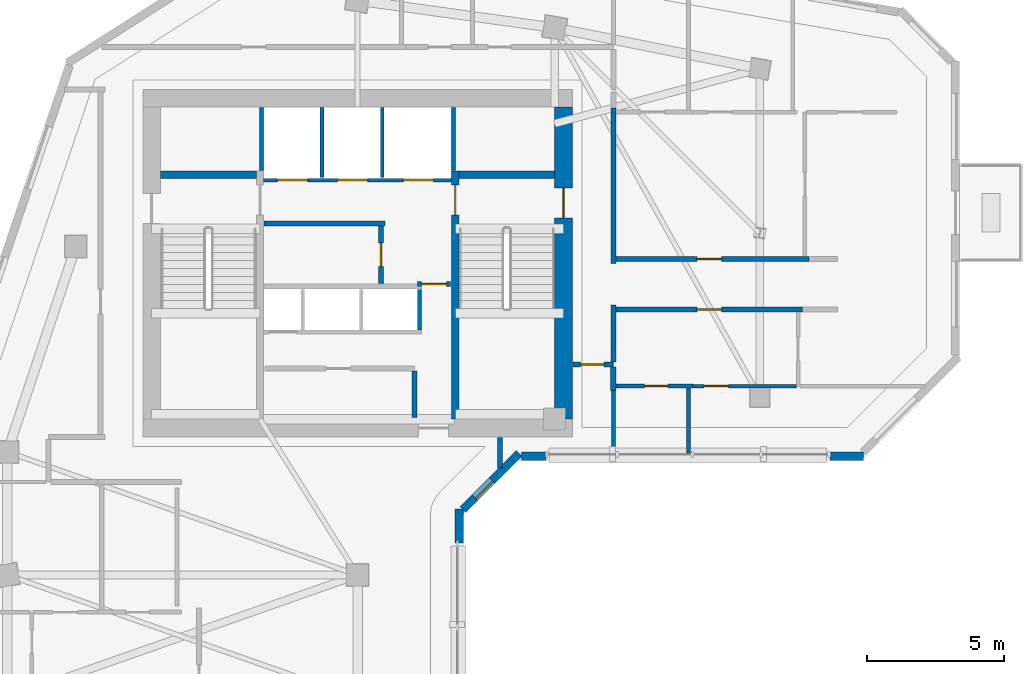
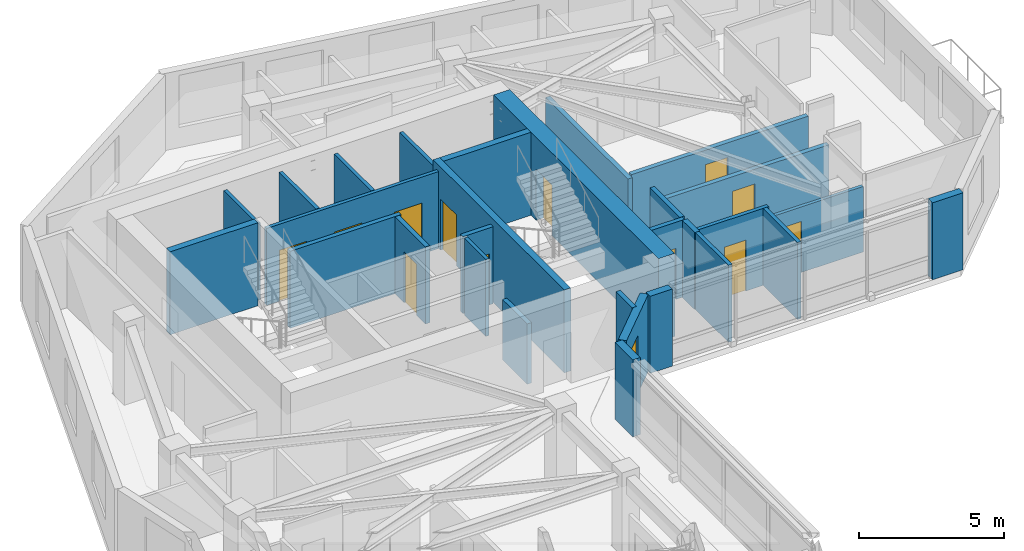
# One storey, part 5 of 10: 29 walls, 12 doors, 1 window, 13 openings.
"""IFC4 building model written with IfcOpenShell, lengths in metres."""

import ifcopenshell
import ifcopenshell.guid

model = None  # the IFC model being written
_history = None  # IfcOwnerHistory: only IFC2X3 demands one
_inside = {}  # id of a spatial element -> (the spatial element, [elements in it])
_under = {}  # id of a project, library or spatial element -> (it, [spatial elements below it])
_declared = {}  # id of a project -> (the project, [libraries it declares])
_typed = {}  # id of a type object -> (the type object, [elements of that type])
_made_of = {}  # id of a material, layer set ... -> (it, [elements and type objects made of it])


def new_model(schema):
    """Start an empty IFC model of exactly this schema.

    Asked for "IFC4X3", IfcOpenShell would pick the latest addendum, in which some entities
    have other attributes; the version numbers below select the first issue.
    IFC2X3 requires an IfcOwnerHistory on every rooted entity: one is made here for all.
    """
    global model, _history
    if schema == "IFC4X3":
        model = ifcopenshell.file(schema_version=(4, 3, 0, 0))
    else:
        model = ifcopenshell.file(schema=schema)
    _inside.clear()
    _under.clear()
    _declared.clear()
    _typed.clear()
    _made_of.clear()
    _history = None
    if model.schema == "IFC2X3":
        org = make("IfcOrganization", Name="unknown")
        user = make(
            "IfcPersonAndOrganization",
            ThePerson=make("IfcPerson", FamilyName="unknown"),
            TheOrganization=org,
        )
        app = make(
            "IfcApplication",
            ApplicationDeveloper=org,
            Version="unknown",
            ApplicationFullName="unknown",
            ApplicationIdentifier="unknown",
        )
        _history = make(
            "IfcOwnerHistory",
            OwningUser=user,
            OwningApplication=app,
            ChangeAction="ADDED",
            CreationDate=0,
        )
    return model


def make(cls, **values):
    """One entity of the class cls with the attributes given. An attribute that is None is left unset."""
    return model.create_entity(
        cls, **{name: value for name, value in values.items() if value is not None}
    )


def rooted(cls, **values):
    """An entity with a GlobalId (a new one), such as an element, a storey or a relation."""
    return make(cls, GlobalId=ifcopenshell.guid.new(), OwnerHistory=_history, **values)


def si_unit(unit_type, name, prefix=None):
    """IfcSIUnit, for example si_unit("LENGTHUNIT", "METRE", prefix="MILLI")."""
    return make("IfcSIUnit", UnitType=unit_type, Prefix=prefix, Name=name)


def assignment(units):
    """IfcUnitAssignment: the units of a project."""
    return None if units is None else make("IfcUnitAssignment", Units=units)


def point(xyz):
    """IfcCartesianPoint."""
    return None if xyz is None else make("IfcCartesianPoint", Coordinates=xyz)


def direction(xyz):
    """IfcDirection."""
    return None if xyz is None else make("IfcDirection", DirectionRatios=xyz)


def frame(location, z_axis=None, x_axis=None):
    """IfcAxis2Placement3D, a coordinate frame: its origin and axes. An axis left out is left unset."""
    return make(
        "IfcAxis2Placement3D",
        Location=point(location),
        Axis=direction(z_axis),
        RefDirection=direction(x_axis),
    )


def frame_2d(location, x_axis=None):
    """IfcAxis2Placement2D, a coordinate frame in the plane: its origin and x axis."""
    return make(
        "IfcAxis2Placement2D", Location=point(location), RefDirection=direction(x_axis)
    )


def origin():
    """The frame at (0, 0, 0) with its axes left unset."""
    return frame((0.0, 0.0, 0.0))


def place(relative_to, where):
    """IfcLocalPlacement: puts the frame where relative to a parent placement (None: the world)."""
    return make(
        "IfcLocalPlacement", PlacementRelTo=relative_to, RelativePlacement=where
    )


def context(
    kind, dimensions, precision=None, world=None, true_north=None, identifier=None
):
    """IfcGeometricRepresentationContext, for example the 3D "Model" context."""
    return make(
        "IfcGeometricRepresentationContext",
        ContextIdentifier=identifier,
        ContextType=kind,
        CoordinateSpaceDimension=dimensions,
        Precision=precision,
        WorldCoordinateSystem=world,
        TrueNorth=true_north,
    )


def subcontext(parent, identifier, kind, view, scale=None):
    """IfcGeometricRepresentationSubContext, for example "Body" below "Model"."""
    return make(
        "IfcGeometricRepresentationSubContext",
        ContextIdentifier=identifier,
        ContextType=kind,
        ParentContext=parent,
        TargetScale=scale,
        TargetView=view,
    )


def project(units=None, contexts=None):
    """IfcProject with its units and contexts."""
    return rooted(
        "IfcProject",
        Name="project",
        RepresentationContexts=contexts,
        UnitsInContext=assignment(units),
    )


def spatial(cls, under=None, at=None, **own):
    """A site, building, storey or space (cls), placed at a placement, below another one or the project."""
    s = rooted(cls, ObjectPlacement=at, **own)
    if under is not None:
        _under.setdefault(under.id(), (under, []))[1].append(s)
    return s


def profile(cls, at=None, kind="AREA", **sizes):
    """A parametric profile (cls). Its sizes go by their IFC names, for example OverallWidth=200.0."""
    return make(cls, ProfileType=kind, Position=at, **sizes)


def rectangle(**sizes):
    """IfcRectangleProfileDef."""
    return profile("IfcRectangleProfileDef", **sizes)


def extrude(swept, where, along, depth):
    """IfcExtrudedAreaSolid: the profile swept, set in the frame where, extruded along a direction by depth."""
    return make(
        "IfcExtrudedAreaSolid",
        SweptArea=swept,
        Position=where,
        ExtrudedDirection=direction(along),
        Depth=depth,
    )


def shape(context_of_items, identifier, shape_type, items):
    """IfcShapeRepresentation: the items that make up one representation, for example the "Body"."""
    return make(
        "IfcShapeRepresentation",
        ContextOfItems=context_of_items,
        RepresentationIdentifier=identifier,
        RepresentationType=shape_type,
        Items=items,
    )


def source(mapping_origin, context_of_items, identifier, shape_type, items):
    """IfcRepresentationMap: a shape defined once, which mapped items show again and again."""
    return make(
        "IfcRepresentationMap",
        MappingOrigin=mapping_origin,
        MappedRepresentation=shape(context_of_items, identifier, shape_type, items),
    )


def transform(
    local_origin,
    x_axis=None,
    y_axis=None,
    z_axis=None,
    scale=None,
    scale2=None,
    scale3=None,
    uniform=True,
):
    """IfcCartesianTransformationOperator3D, or its non-uniform kind. x_axis, y_axis, z_axis: its Axis1, 2, 3."""
    if uniform:
        return make(
            "IfcCartesianTransformationOperator3D",
            Axis1=direction(x_axis),
            Axis2=direction(y_axis),
            LocalOrigin=point(local_origin),
            Scale=scale,
            Axis3=direction(z_axis),
        )
    return make(
        "IfcCartesianTransformationOperator3DnonUniform",
        Axis1=direction(x_axis),
        Axis2=direction(y_axis),
        LocalOrigin=point(local_origin),
        Scale=scale,
        Axis3=direction(z_axis),
        Scale2=scale2,
        Scale3=scale3,
    )


def mapped(mapping_source, mapping_target):
    """IfcMappedItem: shows the shape of a source again, moved by a transform."""
    return make(
        "IfcMappedItem", MappingSource=mapping_source, MappingTarget=mapping_target
    )


def material(Name=None, Category=None):
    """IfcMaterial."""
    return make("IfcMaterial", Name=Name, Category=Category)


def layer(
    of_material, thickness, ventilated=None, Name=None, Category=None, Priority=None
):
    """IfcMaterialLayer: one layer of a wall or slab, of a material (None: an air gap)."""
    return make(
        "IfcMaterialLayer",
        Material=of_material,
        LayerThickness=thickness,
        IsVentilated=ventilated,
        Name=Name,
        Category=Category,
        Priority=Priority,
    )


def layer_set(layers, Name=None):
    """IfcMaterialLayerSet."""
    return make("IfcMaterialLayerSet", MaterialLayers=layers, LayerSetName=Name)


def made_of(thing, what):
    """Note that an element or type object is made of a material, layer set ...; save() writes the relation."""
    if what is not None:
        _made_of.setdefault(what.id(), (what, []))[1].append(thing)
    return thing


def type_object(cls, material=None, **own):
    """A type object (cls), such as IfcWallType, which elements share."""
    return made_of(rooted(cls, **own), material)


def element(
    cls,
    number,
    at=None,
    inside=None,
    cuts=None,
    type_object=None,
    material=None,
    context=None,
    identifier="Body",
    shape_type=None,
    held_by="IfcProductDefinitionShape",
    body=None,
    shapes=None,
    **own,
):
    """One element of the class cls, such as IfcWall. Its Tag is "e" and its number.

    at: its placement. inside: the storey or other place that contains it. cuts: it is an
    opening in that element (IfcRelVoidsElement). A single representation is given by context,
    identifier, shape_type and body (its items); several are given by shapes. held_by: the class
    of the entity that holds the representations. save() writes the other relations.
    """
    e = rooted(cls, Tag="e%d" % number, ObjectPlacement=at, **own)
    if body is not None:
        shapes = [shape(context, identifier, shape_type, body)]
    if shapes is not None:
        e.Representation = make(held_by, Representations=shapes)
    if inside is not None:
        _inside.setdefault(inside.id(), (inside, []))[1].append(e)
    if cuts is not None:
        rooted(
            "IfcRelVoidsElement", RelatingBuildingElement=cuts, RelatedOpeningElement=e
        )
    if type_object is not None:
        _typed.setdefault(type_object.id(), (type_object, []))[1].append(e)
    return made_of(e, material)


def fill(opening, filler):
    """IfcRelFillsElement: the door or window that sits in an opening."""
    return rooted(
        "IfcRelFillsElement",
        RelatingOpeningElement=opening,
        RelatedBuildingElement=filler,
    )


def aggregate(whole, parts):
    """IfcRelAggregates: a whole, such as a stair, and the parts it consists of."""
    return rooted("IfcRelAggregates", RelatingObject=whole, RelatedObjects=parts)


def save(model, path):
    """Write the relations noted so far, then the file.

    IfcRelAggregates (storeys below a building ...), IfcRelContainedInSpatialStructure (elements
    in a storey), IfcRelDefinesByType, IfcRelAssociatesMaterial and IfcRelDeclares: one each for
    every whole, place, type object, material and project.
    """
    for whole, parts in _under.values():
        aggregate(whole, parts)
    for where, things in _inside.values():
        rooted(
            "IfcRelContainedInSpatialStructure",
            RelatedElements=things,
            RelatingStructure=where,
        )
    for kind, things in _typed.values():
        rooted("IfcRelDefinesByType", RelatedObjects=things, RelatingType=kind)
    for what, things in _made_of.values():
        rooted("IfcRelAssociatesMaterial", RelatedObjects=things, RelatingMaterial=what)
    for by, libraries in _declared.values():
        rooted("IfcRelDeclares", RelatingContext=by, RelatedDefinitions=libraries)
    model.write(path)


model = new_model("IFC4")

# Units and contexts
model_context = context("Model", 3, precision=1e-05, world=origin(), true_north=direction((0.0, 1.0)))
body_context = subcontext(model_context, "Body", "Model", "MODEL_VIEW")
ifc_project = project(units=[si_unit("LENGTHUNIT", "METRE"), si_unit("AREAUNIT", "SQUARE_METRE"), si_unit("VOLUMEUNIT", "CUBIC_METRE"), si_unit("PLANEANGLEUNIT", "RADIAN"), si_unit("MASSUNIT", "GRAM", prefix="KILO")], contexts=[model_context])

# Site, building, storey
site_placement = place(None, origin())
site = spatial("IfcSite", under=ifc_project, at=site_placement, CompositionType="ELEMENT")
building_placement = place(site_placement, origin())
building = spatial("IfcBuilding", under=site, at=building_placement, Name="Calvemar Wedge Station Tower", CompositionType="ELEMENT")
storey_placement = place(building_placement, frame((0.0, 0.0, 214.89990234375)))
storey = spatial("IfcBuildingStorey", under=building, at=storey_placement, Name="L54", CompositionType="ELEMENT", Elevation=214.89990234375)

# Wall, opening, door
ifc_material_1 = material(Name="Concrete C50", Category="concrete")
ifc_layer_1 = layer(ifc_material_1, 0.260009765625)
ifc_layer_set_1 = layer_set([ifc_layer_1], Name="Concrete C50")
wall_type_1 = type_object("IfcWallType", Name="SW-CORE-260", PredefinedType="SHEAR", material=ifc_layer_set_1)
wall_1_placement = place(storey_placement, frame((27.3701171875, 34.199951171875, 0.0), z_axis=(0.0, 0.0, 1.0), x_axis=(0.0, 1.0, 0.0)))
wall_1 = element("IfcWall", 1, at=wall_1_placement, inside=storey, type_object=wall_type_1, Name="Storey L54 Core Shear Wall SPINE-E", PredefinedType="SHEAR", context=body_context, shape_type="SweptSolid", body=[
    extrude(rectangle(XDim=9.06005859375, YDim=0.260009765625, at=frame_2d((4.530029296875, 0.0))), origin(), (0.0, 0.0, 1.0), 3.5),
])
shared_shape_1 = source(origin(), body_context, "Body", "SweptSolid", [
    extrude(rectangle(XDim=1.10009765625, YDim=2.14990234375, at=frame_2d((0.550048828125, 1.074951171875))), frame((0.0, 0.14013671875, 0.0), z_axis=(0.0, -1.0, 0.0), x_axis=(1.0, 0.0, 0.0)), (0.0, 0.0, 1.0), 0.280029296875),
])
opening_1_placement = place(wall_1_placement, frame((7.449951171875, 0.0, 0.0)))
opening_1 = element("IfcOpeningElement", 2, at=opening_1_placement, cuts=wall_1, Name="Opening FD-90", PredefinedType="OPENING", context=body_context, shape_type="MappedRepresentation", body=[
    mapped(shared_shape_1, transform((0.0, 0.0, 0.0), scale=1.0)),
])
ifc_material_2 = material(Name="Galvanized fire-rated steel door leaf P-90", Category="steel")
door_type_1 = type_object("IfcDoorType", Name="DR-FD90-1100", OperationType="NOTDEFINED", PredefinedType="DOOR", material=ifc_material_2)
shared_shape_2 = source(origin(), body_context, "Body", "SweptSolid", [
    extrude(rectangle(XDim=1.10009765625, YDim=2.14990234375, at=frame_2d((0.550048828125, 1.074951171875))), frame((0.0, 0.02490234375, 0.0), z_axis=(0.0, -1.0, 0.0), x_axis=(1.0, 0.0, 0.0)), (0.0, 0.0, 1.0), 0.050048828125),
])
door_1_placement = place(opening_1_placement, origin())
door_1 = element("IfcDoor", 3, at=door_1_placement, inside=storey, type_object=door_type_1, Name="L54 FF Lobby to Stair ST-C2 Door", OperationType="SINGLE_SWING_LEFT", OverallHeight=2.14990234375, OverallWidth=1.10009765625, PredefinedType="DOOR", context=body_context, shape_type="MappedRepresentation", body=[
    mapped(shared_shape_2, transform((0.0, 0.0, 0.0), scale=1.0)),
])
fill(opening_1, door_1)

# Walls
for number, where, z_axis, x_axis, name in (
    (4, (16.60009765625, 43.1298828125, 0.0), (0.0, 0.0, 1.0), (1.0, 0.0, 0.0), "Storey L54 Core Shear Wall STC1-N"),
    (5, (27.5, 43.1298828125, 0.0), (0.0, 0.0, 1.0), (1.0, 0.0, 0.0), "Storey L54 Core Shear Wall STC2-N"),
):
    element("IfcWall", number, at=place(storey_placement, frame(where, z_axis=z_axis, x_axis=x_axis)), inside=storey, type_object=wall_type_1, Name=name, PredefinedType="SHEAR", context=body_context, shape_type="SweptSolid", body=[
        extrude(rectangle(XDim=3.5, YDim=0.260009765625, at=frame_2d((1.75, 0.0))), origin(), (0.0, 0.0, 1.0), 3.5),
    ])

# Wall, opening, door
ifc_material_3 = material(Name="Concrete C60", Category="concrete")
ifc_layer_2 = layer(ifc_material_3, 0.64990234375)
ifc_layer_set_2 = layer_set([ifc_layer_2], Name="Concrete C60")
wall_type_2 = type_object("IfcWallType", Name="SW-CORE-650", PredefinedType="SHEAR", material=ifc_layer_set_2)
wall_2_placement = place(storey_placement, frame((31.324951171875, 34.199951171875, 0.0), z_axis=(0.0, 0.0, 1.0), x_axis=(0.0, 1.0, 0.0)))
wall_2 = element("IfcWall", 6, at=wall_2_placement, inside=storey, type_object=wall_type_2, Name="Storey L54 Core Shear Wall E", PredefinedType="SHEAR", context=body_context, shape_type="SweptSolid", body=[
    extrude(rectangle(XDim=11.400146484375, YDim=0.64990234375, at=frame_2d((5.7001953125, 0.0))), origin(), (0.0, 0.0, 1.0), 3.5),
])
shared_shape_3 = source(origin(), body_context, "Body", "SweptSolid", [
    extrude(rectangle(XDim=1.10009765625, YDim=2.14990234375, at=frame_2d((0.550048828125, 1.074951171875))), frame((0.0, 0.3349609375, 0.0), z_axis=(0.0, -1.0, 0.0), x_axis=(1.0, 0.0, 0.0)), (0.0, 0.0, 1.0), 0.669921875),
])
opening_2_placement = place(wall_2_placement, frame((7.35009765625, 0.0, 0.0)))
opening_2 = element("IfcOpeningElement", 7, at=opening_2_placement, cuts=wall_2, Name="Opening FD-90", PredefinedType="OPENING", context=body_context, shape_type="MappedRepresentation", body=[
    mapped(shared_shape_3, transform((0.0, 0.0, 0.0), scale=1.0)),
])
door_2_placement = place(opening_2_placement, origin())
door_2 = element("IfcDoor", 8, at=door_2_placement, inside=storey, type_object=door_type_1, Name="L54 East Corridor to Exit Stair ST-C2 Door", OperationType="SINGLE_SWING_LEFT", OverallHeight=2.14990234375, OverallWidth=1.10009765625, PredefinedType="DOOR", context=body_context, shape_type="MappedRepresentation", body=[
    mapped(shared_shape_2, transform((0.0, 0.0, 0.0), scale=1.0)),
])
fill(opening_2, door_2)

# Wall
ifc_material_4 = material(Name="Double-stud fire-rated corridor partition")
ifc_layer_3 = layer(ifc_material_4, 0.179931640625)
ifc_layer_set_3 = layer_set([ifc_layer_3], Name="Double-stud fire-rated corridor partition")
wall_type_3 = type_object("IfcWallType", Name="W-CORR-180", PredefinedType="PARTITIONING", material=ifc_layer_set_3)
wall_3_placement = place(storey_placement, frame((24.81005859375, 41.35009765625, 0.0), z_axis=(0.0, 0.0, 1.0), x_axis=(-1.0, 0.0, 0.0)))
element("IfcWall", 9, at=wall_3_placement, inside=storey, type_object=wall_type_3, Name="Storey L54 Interior Partition WL-L54-001", PredefinedType="PARTITIONING", context=body_context, shape_type="SweptSolid", body=[
    extrude(rectangle(XDim=4.43017578125, YDim=0.179931640625, at=frame_2d((2.215087890625, 0.0))), origin(), (0.0, 0.0, 1.0), 3.25),
])

# Wall, opening, door
wall_4_placement = place(storey_placement, frame((24.64990234375, 41.256103515625, 0.0), z_axis=(0.0, 0.0, 1.0), x_axis=(0.0, -1.0, 0.0)))
wall_4 = element("IfcWall", 10, at=wall_4_placement, inside=storey, type_object=wall_type_3, Name="Storey L54 Interior Partition WL-L54-002", PredefinedType="PARTITIONING", context=body_context, shape_type="SweptSolid", body=[
    extrude(rectangle(XDim=2.106201171875, YDim=0.179931640625, at=frame_2d((1.05322265625, 0.0))), origin(), (0.0, 0.0, 1.0), 3.25),
])
shared_shape_4 = source(origin(), body_context, "Body", "SweptSolid", [
    extrude(rectangle(XDim=0.85009765625, YDim=2.14990234375, at=frame_2d((0.425048828125, 1.074951171875))), frame((0.0, 0.10009765625, 0.0), z_axis=(0.0, -1.0, 0.0), x_axis=(1.0, 0.0, 0.0)), (0.0, 0.0, 1.0), 0.199951171875),
])
opening_3_placement = place(wall_4_placement, frame((0.6279296875, 0.0, 0.0)))
opening_3 = element("IfcOpeningElement", 11, at=opening_3_placement, cuts=wall_4, Name="Opening FD-60S", PredefinedType="OPENING", context=body_context, shape_type="MappedRepresentation", body=[
    mapped(shared_shape_4, transform((0.0, 0.0, 0.0), scale=1.0)),
])
ifc_material_5 = material(Name="Fire-rated steel and hardwood service door EI 60", Category="steel")
door_type_2 = type_object("IfcDoorType", Name="DR-CORE-FD60-850", OperationType="NOTDEFINED", PredefinedType="DOOR", material=ifc_material_5)
shared_shape_5 = source(origin(), body_context, "Body", "SweptSolid", [
    extrude(rectangle(XDim=0.85009765625, YDim=2.14990234375, at=frame_2d((0.425048828125, 1.074951171875))), frame((0.0, 0.02490234375, 0.0), z_axis=(0.0, -1.0, 0.0), x_axis=(1.0, 0.0, 0.0)), (0.0, 0.0, 1.0), 0.050048828125),
])
door_3_placement = place(opening_3_placement, origin())
door_3 = element("IfcDoor", 12, at=door_3_placement, inside=storey, type_object=door_type_2, Name="L54 Cleaner and Linen Store Door", OperationType="SINGLE_SWING_LEFT", OverallHeight=2.14990234375, OverallWidth=0.85009765625, PredefinedType="DOOR", context=body_context, shape_type="MappedRepresentation", body=[
    mapped(shared_shape_5, transform((0.0, 0.0, 0.0), scale=1.0)),
])
fill(opening_3, door_3)

wall_5_placement = place(storey_placement, frame((27.199951171875, 39.1298828125, 0.0), z_axis=(0.0, 0.0, 1.0), x_axis=(-1.0, 0.0, 0.0)))
wall_5 = element("IfcWall", 13, at=wall_5_placement, inside=storey, type_object=wall_type_3, Name="Storey L54 Interior Partition WL-L54-003", PredefinedType="PARTITIONING", context=body_context, shape_type="SweptSolid", body=[
    extrude(rectangle(XDim=1.2099609375, YDim=0.179931640625, at=frame_2d((0.60498046875, 0.0))), origin(), (0.0, 0.0, 1.0), 3.25),
])
shared_shape_6 = source(origin(), body_context, "Body", "SweptSolid", [
    extrude(rectangle(XDim=0.89990234375, YDim=2.14990234375, at=frame_2d((0.449951171875, 1.074951171875))), frame((0.0, 0.10009765625, 0.0), z_axis=(0.0, -1.0, 0.0), x_axis=(1.0, 0.0, 0.0)), (0.0, 0.0, 1.0), 0.199951171875),
])
opening_4_placement = place(wall_5_placement, frame((0.155029296875, 0.0, 0.0)))
opening_4 = element("IfcOpeningElement", 14, at=opening_4_placement, cuts=wall_5, Name="Opening FD-60", PredefinedType="OPENING", context=body_context, shape_type="MappedRepresentation", body=[
    mapped(shared_shape_6, transform((0.0, 0.0, 0.0), scale=1.0)),
])
ifc_material_6 = material(Name="Fire-rated acoustic timber-core entrance door EI 60", Category="wood")
door_type_3 = type_object("IfcDoorType", Name="DR-FD60-900", OperationType="NOTDEFINED", PredefinedType="DOOR", material=ifc_material_6)
shared_shape_7 = source(origin(), body_context, "Body", "SweptSolid", [
    extrude(rectangle(XDim=0.89990234375, YDim=2.14990234375, at=frame_2d((0.449951171875, 1.074951171875))), frame((0.0, 0.02490234375, 0.0), z_axis=(0.0, -1.0, 0.0), x_axis=(1.0, 0.0, 0.0)), (0.0, 0.0, 1.0), 0.050048828125),
])
door_4_placement = place(opening_4_placement, origin())
door_4 = element("IfcDoor", 15, at=door_4_placement, inside=storey, type_object=door_type_3, Name="L54 Core Service Lobby Door", OperationType="SINGLE_SWING_RIGHT", OverallHeight=2.14990234375, OverallWidth=0.89990234375, PredefinedType="DOOR", context=body_context, shape_type="MappedRepresentation", body=[
    mapped(shared_shape_7, transform((0.0, 0.0, 0.0), scale=1.0)),
])
fill(opening_4, door_4)

# Walls
wall_6_placement = place(storey_placement, frame((25.8798828125, 35.9560546875, 0.0), z_axis=(0.0, 0.0, 1.0), x_axis=(0.0, -1.0, 0.0)))
element("IfcWall", 16, at=wall_6_placement, inside=storey, type_object=wall_type_3, Name="Storey L54 Interior Partition WL-L54-005", PredefinedType="PARTITIONING", context=body_context, shape_type="SweptSolid", body=[
    extrude(rectangle(XDim=1.7060546875, YDim=0.179931640625, at=frame_2d((0.85302734375, 0.0))), origin(), (0.0, 0.0, 1.0), 2.5419921875),
])
wall_7_placement = place(storey_placement, frame((29.0, 33.530029296875, 0.0), z_axis=(0.0, 0.0, 1.0), x_axis=(0.0, -1.0, 0.0)))
element("IfcWall", 17, at=wall_7_placement, inside=storey, type_object=wall_type_3, Name="Storey L54 Interior Partition WL-L54-008", PredefinedType="PARTITIONING", context=body_context, shape_type="SweptSolid", body=[
    extrude(rectangle(XDim=1.127197265625, YDim=0.179931640625, at=frame_2d((0.5634765625, 0.0))), origin(), (0.0, 0.0, 1.0), 3.25),
])

# Wall, opening, door
wall_8_placement = place(storey_placement, frame((33.14990234375, 36.199951171875, 0.0), z_axis=(0.0, 0.0, 1.0), x_axis=(-1.0, 0.0, 0.0)))
wall_8 = element("IfcWall", 18, at=wall_8_placement, inside=storey, type_object=wall_type_3, Name="Storey L54 Interior Partition WL-L54-017", PredefinedType="PARTITIONING", context=body_context, shape_type="SweptSolid", body=[
    extrude(rectangle(XDim=1.47998046875, YDim=0.179931640625, at=frame_2d((0.739990234375, 0.0))), origin(), (0.0, 0.0, 1.0), 3.25),
])
opening_5_placement = place(wall_8_placement, frame((0.35009765625, 0.0, 0.0)))
opening_5 = element("IfcOpeningElement", 19, at=opening_5_placement, cuts=wall_8, Name="Opening D-02", PredefinedType="OPENING", context=body_context, shape_type="MappedRepresentation", body=[
    mapped(shared_shape_4, transform((0.0, 0.0, 0.0), scale=1.0)),
])
ifc_material_7 = material(Name="Moisture-sealed bathroom hardwood swing door", Category="wood")
door_type_4 = type_object("IfcDoorType", Name="DR-WET-850", OperationType="NOTDEFINED", PredefinedType="DOOR", material=ifc_material_7)
shared_shape_8 = source(origin(), body_context, "Body", "SweptSolid", [
    extrude(rectangle(XDim=0.85009765625, YDim=2.14990234375, at=frame_2d((0.425048828125, 1.074951171875))), frame((0.0, 0.02490234375, 0.0), z_axis=(0.0, -1.0, 0.0), x_axis=(1.0, 0.0, 0.0)), (0.0, 0.0, 1.0), 0.050048828125),
])
door_5_placement = place(opening_5_placement, origin())
door_5 = element("IfcDoor", 20, at=door_5_placement, inside=storey, type_object=door_type_4, Name="L54 Pantry Door", OperationType="SINGLE_SWING_RIGHT", OverallHeight=2.14990234375, OverallWidth=0.85009765625, PredefinedType="DOOR", context=body_context, shape_type="MappedRepresentation", body=[
    mapped(shared_shape_8, transform((0.0, 0.0, 0.0), scale=1.0)),
])
fill(opening_5, door_5)

# Walls
wall_9_placement = place(storey_placement, frame((33.14990234375, 45.576904296875, 0.0), z_axis=(0.0, 0.0, 1.0), x_axis=(0.0, -1.0, 0.0)))
element("IfcWall", 21, at=wall_9_placement, inside=storey, type_object=wall_type_3, Name="Storey L54 Interior Partition WL-L54-018", PredefinedType="PARTITIONING", context=body_context, shape_type="SweptSolid", body=[
    extrude(rectangle(XDim=5.68701171875, YDim=0.179931640625, at=frame_2d((2.843505859375, 0.0))), origin(), (0.0, 0.0, 1.0), 2.68798828125),
])
wall_10_placement = place(storey_placement, frame((33.14990234375, 38.360107421875, 0.0), z_axis=(0.0, 0.0, 1.0), x_axis=(0.0, -1.0, 0.0)))
element("IfcWall", 22, at=wall_10_placement, inside=storey, type_object=wall_type_3, Name="Storey L54 Interior Partition WL-L54-020", PredefinedType="PARTITIONING", context=body_context, shape_type="SweptSolid", body=[
    extrude(rectangle(XDim=2.066162109375, YDim=0.179931640625, at=frame_2d((1.033203125, 0.0))), origin(), (0.0, 0.0, 1.0), 3.25),
])

# Wall, opening, door
wall_11_placement = place(storey_placement, frame((33.243896484375, 40.050048828125, 0.0), z_axis=(0.0, 0.0, 1.0), x_axis=(1.0, 0.0, 0.0)))
wall_11 = element("IfcWall", 23, at=wall_11_placement, inside=storey, type_object=wall_type_3, Name="Storey L54 Interior Partition WL-L54-025", PredefinedType="PARTITIONING", context=body_context, shape_type="SweptSolid", body=[
    extrude(rectangle(XDim=7.06201171875, YDim=0.179931640625, at=frame_2d((3.531005859375, 0.0))), origin(), (0.0, 0.0, 1.0), 2.76611328125),
])
opening_6_placement = place(wall_11_placement, frame((2.959228515625, 0.0, 0.0)))
opening_6 = element("IfcOpeningElement", 24, at=opening_6_placement, cuts=wall_11, Name="Opening FD-60", PredefinedType="OPENING", context=body_context, shape_type="MappedRepresentation", body=[
    mapped(shared_shape_6, transform((0.0, 0.0, 0.0), scale=1.0)),
])
door_6_placement = place(opening_6_placement, origin())
door_6 = element("IfcDoor", 25, at=door_6_placement, inside=storey, type_object=door_type_3, Name="L54 Living Dining Door", OperationType="SINGLE_SWING_LEFT", OverallHeight=2.14990234375, OverallWidth=0.89990234375, PredefinedType="DOOR", context=body_context, shape_type="MappedRepresentation", body=[
    mapped(shared_shape_7, transform((0.0, 0.0, 0.0), scale=1.0)),
])
fill(opening_6, door_6)

wall_12_placement = place(storey_placement, frame((40.06005859375, 38.199951171875, 0.0), z_axis=(0.0, 0.0, 1.0), x_axis=(-1.0, 0.0, 0.0)))
wall_12 = element("IfcWall", 26, at=wall_12_placement, inside=storey, type_object=wall_type_3, Name="Storey L54 Interior Partition WL-L54-027", PredefinedType="PARTITIONING", context=body_context, shape_type="SweptSolid", body=[
    extrude(rectangle(XDim=6.816162109375, YDim=0.179931640625, at=frame_2d((3.408203125, 0.0))), origin(), (0.0, 0.0, 1.0), 2.76611328125),
])
opening_7_placement = place(wall_12_placement, frame((2.9580078125, 0.0, 0.0)))
opening_7 = element("IfcOpeningElement", 27, at=opening_7_placement, cuts=wall_12, Name="Opening FD-60", PredefinedType="OPENING", context=body_context, shape_type="MappedRepresentation", body=[
    mapped(shared_shape_6, transform((0.0, 0.0, 0.0), scale=1.0)),
])
door_7_placement = place(opening_7_placement, origin())
door_7 = element("IfcDoor", 28, at=door_7_placement, inside=storey, type_object=door_type_3, Name="L54 Living Dining Door", OperationType="SINGLE_SWING_RIGHT", OverallHeight=2.14990234375, OverallWidth=0.89990234375, PredefinedType="DOOR", context=body_context, shape_type="MappedRepresentation", body=[
    mapped(shared_shape_7, transform((0.0, 0.0, 0.0), scale=1.0)),
])
fill(opening_7, door_7)

# Walls
ifc_material_8 = material(Name="Twin-stud fire-rated inter-tenancy wall")
ifc_layer_4 = layer(ifc_material_8, 0.199951171875)
ifc_layer_set_4 = layer_set([ifc_layer_4], Name="Twin-stud fire-rated inter-tenancy wall")
wall_type_4 = type_object("IfcWallType", Name="W-DEMISE-200", PredefinedType="PARTITIONING", material=ifc_layer_set_4)
wall_13_placement = place(storey_placement, frame((33.14990234375, 36.10595703125, 0.0), z_axis=(0.0, 0.0, 1.0), x_axis=(0.0, -1.0, 0.0)))
element("IfcWall", 29, at=wall_13_placement, inside=storey, type_object=wall_type_4, Name="Storey L54 Interior Partition WL-L54-029", PredefinedType="PARTITIONING", context=body_context, shape_type="SweptSolid", body=[
    extrude(rectangle(XDim=0.85888671875, YDim=0.199951171875, at=frame_2d((0.429443359375, 0.0))), origin(), (0.0, 0.0, 1.0), 3.25),
])
ifc_material_9 = material(Name="Precast concrete C45", Category="concrete")
ifc_layer_5 = layer(ifc_material_9, 0.300048828125)
ifc_layer_set_5 = layer_set([ifc_layer_5], Name="Precast concrete C45")
wall_type_5 = type_object("IfcWallType", Name="W-EXT-GFRC-300", PredefinedType="SOLIDWALL", material=ifc_layer_set_5)
wall_14_placement = place(storey_placement, frame((27.513916015625, 29.676513671875, 0.0), z_axis=(0.0, 0.0, 1.0), x_axis=(0.0, 1.0, 0.0)))
element("IfcWall", 30, at=wall_14_placement, inside=storey, type_object=wall_type_5, Name="Storey L54 Bronze GFRC Corner Pier 4B", PredefinedType="SOLIDWALL", context=body_context, shape_type="SweptSolid", body=[
    extrude(rectangle(XDim=1.2275390625, YDim=0.300048828125, at=frame_2d((0.61376953125, 0.0))), origin(), (0.0, 0.0, 1.0), 3.25),
])

# Wall, opening, window
wall_15_placement = place(storey_placement, frame((27.652099609375, 30.89208984375, 0.0), z_axis=(0.0, 0.0, 1.0), x_axis=(0.707106781187, 0.707106781187, 0.0)))
wall_15 = element("IfcWall", 31, at=wall_15_placement, inside=storey, type_object=wall_type_5, Name="Storey L54 Bronze GFRC Exterior Wall 5", PredefinedType="SOLIDWALL", context=body_context, shape_type="SweptSolid", body=[
    extrude(rectangle(XDim=2.907470703125, YDim=0.300048828125, at=frame_2d((1.45361328125, 0.0))), origin(), (0.0, 0.0, 1.0), 3.25),
])
shared_shape_9 = source(origin(), body_context, "Body", "SweptSolid", [
    extrude(rectangle(XDim=0.89990234375, YDim=1.60009765625, at=frame_2d((0.449951171875, 0.800048828125))), frame((0.0, 0.16015625, 0.0), z_axis=(0.0, -1.0, 0.0), x_axis=(1.0, 0.0, 0.0)), (0.0, 0.0, 1.0), 0.320068359375),
])
opening_8_placement = place(wall_15_placement, frame((0.611083984375, 0.0, 0.85009765625)))
opening_8 = element("IfcOpeningElement", 32, at=opening_8_placement, cuts=wall_15, Name="Opening W7", PredefinedType="OPENING", context=body_context, shape_type="MappedRepresentation", body=[
    mapped(shared_shape_9, transform((0.0, 0.0, 0.0), scale=1.0)),
])
ifc_material_10 = material(Name="Low-E laminated insulated glass", Category="glass")
window_type = type_object("IfcWindowType", Name="WIN-EXT-7", PartitioningType="SINGLE_PANEL", PredefinedType="WINDOW", material=ifc_material_10)
shared_shape_10 = source(origin(), body_context, "Body", "SweptSolid", [
    extrude(rectangle(XDim=0.89990234375, YDim=1.60009765625, at=frame_2d((0.449951171875, 0.800048828125))), frame((0.0, -0.014892578125, 0.0), z_axis=(0.0, -1.0, 0.0), x_axis=(1.0, 0.0, 0.0)), (0.0, 0.0, 1.0), 0.06005859375),
])
window_placement = place(opening_8_placement, origin())
window = element("IfcWindow", 33, at=window_placement, inside=storey, type_object=window_type, Name="Storey L54 Recessed Window 5.1", OverallHeight=1.60009765625, OverallWidth=0.89990234375, PartitioningType="SINGLE_PANEL", PredefinedType="WINDOW", context=body_context, shape_type="MappedRepresentation", body=[
    mapped(shared_shape_10, transform((0.0, 0.0, 0.0), scale=1.0)),
])
fill(opening_8, window)

# Walls
wall_16_placement = place(storey_placement, frame((29.797119140625, 32.842041015625, 0.0), z_axis=(0.0, 0.0, 1.0), x_axis=(1.0, 0.0, 0.0)))
element("IfcWall", 34, at=wall_16_placement, inside=storey, type_object=wall_type_5, Name="Storey L54 Bronze GFRC Corner Pier 6A", PredefinedType="SOLIDWALL", context=body_context, shape_type="SweptSolid", body=[
    extrude(rectangle(XDim=0.88232421875, YDim=0.300048828125, at=frame_2d((0.441162109375, 0.0))), origin(), (0.0, 0.0, 1.0), 3.25),
])
wall_17_placement = place(storey_placement, frame((41.060302734375, 32.842041015625, 0.0), z_axis=(0.0, 0.0, 1.0), x_axis=(1.0, 0.0, 0.0)))
element("IfcWall", 35, at=wall_17_placement, inside=storey, type_object=wall_type_5, Name="Storey L54 Bronze GFRC Corner Pier 6B", PredefinedType="SOLIDWALL", context=body_context, shape_type="SweptSolid", body=[
    extrude(rectangle(XDim=1.2275390625, YDim=0.300048828125, at=frame_2d((0.61376953125, 0.0))), origin(), (0.0, 0.0, 1.0), 3.25),
])

# Wall, openings, doors
ifc_material_11 = material(Name="Reinforced concrete blockwork lift shaft wall", Category="masonry")
ifc_layer_6 = layer(ifc_material_11, 0.139892578125)
ifc_layer_set_6 = layer_set([ifc_layer_6], Name="Reinforced concrete blockwork lift shaft wall")
wall_type_6 = type_object("IfcWallType", Name="W-LIFT-160", PredefinedType="SOLIDWALL", material=ifc_layer_set_6)
wall_18_placement = place(storey_placement, frame((20.3701171875, 42.929931640625, 0.0), z_axis=(0.0, 0.0, 1.0), x_axis=(1.0, 0.0, 0.0)))
wall_18 = element("IfcWall", 36, at=wall_18_placement, inside=storey, type_object=wall_type_6, Name="Storey L54 Firefighting and Service Lift Shaft Front Wall", PredefinedType="SOLIDWALL", context=body_context, shape_type="SweptSolid", body=[
    extrude(rectangle(XDim=6.85986328125, YDim=0.139892578125, at=frame_2d((3.429931640625, 0.0))), origin(), (0.0, 0.0, 1.0), 3.25),
])
shared_shape_11 = source(origin(), body_context, "Body", "SweptSolid", [
    extrude(rectangle(XDim=1.10009765625, YDim=2.14990234375, at=frame_2d((0.550048828125, 1.074951171875))), frame((0.0, 0.080078125, 0.0), z_axis=(0.0, -1.0, 0.0), x_axis=(1.0, 0.0, 0.0)), (0.0, 0.0, 1.0), 0.159912109375),
])
opening_9_placement = place(wall_18_placement, frame((0.5, 0.0, 0.0)))
opening_9 = element("IfcOpeningElement", 37, at=opening_9_placement, cuts=wall_18, Name="Opening LD-FF", PredefinedType="OPENING", context=body_context, shape_type="MappedRepresentation", body=[
    mapped(shared_shape_11, transform((0.0, 0.0, 0.0), scale=1.0)),
])
opening_10_placement = place(wall_18_placement, frame((2.699951171875, 0.0, 0.0)))
opening_10 = element("IfcOpeningElement", 38, at=opening_10_placement, cuts=wall_18, Name="Opening LD-FF", PredefinedType="OPENING", context=body_context, shape_type="MappedRepresentation", body=[
    mapped(shared_shape_11, transform((0.0, 0.0, 0.0), scale=1.0)),
])
opening_11_placement = place(wall_18_placement, frame((5.10009765625, 0.0, 0.0)))
opening_11 = element("IfcOpeningElement", 39, at=opening_11_placement, cuts=wall_18, Name="Opening LD-STN", PredefinedType="OPENING", context=body_context, shape_type="MappedRepresentation", body=[
    mapped(shared_shape_11, transform((0.0, 0.0, 0.0), scale=1.0)),
])
ifc_material_12 = material(Name="Stainless steel firefighting lift sliding landing door", Category="steel")
door_type_5 = type_object("IfcDoorType", Name="DR-LD-FF-1100", OperationType="SLIDING_TO_LEFT", PredefinedType="DOOR", material=ifc_material_12)
shared_shape_12 = source(origin(), body_context, "Body", "SweptSolid", [
    extrude(rectangle(XDim=1.10009765625, YDim=2.14990234375, at=frame_2d((0.550048828125, 1.074951171875))), frame((0.0, 0.02490234375, 0.0), z_axis=(0.0, -1.0, 0.0), x_axis=(1.0, 0.0, 0.0)), (0.0, 0.0, 1.0), 0.050048828125),
])
door_8_placement = place(opening_9_placement, origin())
door_8 = element("IfcDoor", 40, at=door_8_placement, inside=storey, type_object=door_type_5, Name="L54 Lift FF-01 Sliding Landing Door", OperationType="SLIDING_TO_LEFT", OverallHeight=2.14990234375, OverallWidth=1.10009765625, PredefinedType="DOOR", context=body_context, shape_type="MappedRepresentation", body=[
    mapped(shared_shape_12, transform((0.0, 0.0, 0.0), scale=1.0)),
])
fill(opening_9, door_8)
door_9_placement = place(opening_10_placement, origin())
door_9 = element("IfcDoor", 41, at=door_9_placement, inside=storey, type_object=door_type_5, Name="L54 Lift FF-02 Sliding Landing Door", OperationType="SLIDING_TO_RIGHT", OverallHeight=2.14990234375, OverallWidth=1.10009765625, PredefinedType="DOOR", context=body_context, shape_type="MappedRepresentation", body=[
    mapped(shared_shape_12, transform((0.0, 0.0, 0.0), scale=1.0)),
])
fill(opening_10, door_9)
ifc_material_13 = material(Name="Stainless steel transit lift sliding landing door", Category="steel")
door_type_6 = type_object("IfcDoorType", Name="DR-LD-PAX-1100", OperationType="SLIDING_TO_LEFT", PredefinedType="DOOR", material=ifc_material_13)
shared_shape_13 = source(origin(), body_context, "Body", "SweptSolid", [
    extrude(rectangle(XDim=1.10009765625, YDim=2.14990234375, at=frame_2d((0.550048828125, 1.074951171875))), frame((0.0, 0.02490234375, 0.0), z_axis=(0.0, -1.0, 0.0), x_axis=(1.0, 0.0, 0.0)), (0.0, 0.0, 1.0), 0.050048828125),
])
door_10_placement = place(opening_11_placement, origin())
door_10 = element("IfcDoor", 42, at=door_10_placement, inside=storey, type_object=door_type_6, Name="L54 Lift SV-01 Sliding Landing Door", OperationType="SLIDING_TO_LEFT", OverallHeight=2.14990234375, OverallWidth=1.10009765625, PredefinedType="DOOR", context=body_context, shape_type="MappedRepresentation", body=[
    mapped(shared_shape_13, transform((0.0, 0.0, 0.0), scale=1.0)),
])
fill(opening_11, door_10)

# Walls
for number, where, z_axis, x_axis, name in (
    (43, (20.2900390625, 43.280029296875, 0.0), (0.0, 0.0, 1.0), (0.0, 1.0, 0.0), "Storey L54 Firefighting Lift Shaft Enclosure Wall W"),
    (44, (27.31005859375, 43.280029296875, 0.0), (0.0, 0.0, 1.0), (0.0, 1.0, 0.0), "Storey L54 Firefighting Lift Shaft Enclosure Wall E"),
):
    element("IfcWall", number, at=place(storey_placement, frame(where, z_axis=z_axis, x_axis=x_axis)), inside=storey, type_object=wall_type_6, Name=name, PredefinedType="SOLIDWALL", context=body_context, shape_type="SweptSolid", body=[
        extrude(rectangle(XDim=2.300048828125, YDim=0.139892578125, at=frame_2d((1.14990234375, 0.0))), origin(), (0.0, 0.0, 1.0), 3.25),
    ])
for number, where, z_axis, x_axis, name in (
    (45, (22.5, 43.02001953125, 0.0), (0.0, 0.0, 1.0), (0.0, 1.0, 0.0), "Storey L54 Firefighting Lift Shaft Enclosure Wall D1"),
    (46, (24.699951171875, 43.02001953125, 0.0), (0.0, 0.0, 1.0), (0.0, 1.0, 0.0), "Storey L54 Firefighting Lift Shaft Enclosure Wall D2"),
):
    element("IfcWall", number, at=place(storey_placement, frame(where, z_axis=z_axis, x_axis=x_axis)), inside=storey, type_object=wall_type_6, Name=name, PredefinedType="SOLIDWALL", context=body_context, shape_type="SweptSolid", body=[
        extrude(rectangle(XDim=2.56005859375, YDim=0.139892578125, at=frame_2d((1.280029296875, 0.0))), origin(), (0.0, 0.0, 1.0), 3.25),
    ])
wall_19_placement = place(storey_placement, frame((26.06005859375, 37.4599609375, 0.0), z_axis=(0.0, 0.0, 1.0), x_axis=(0.0, 1.0, 0.0)))
element("IfcWall", 47, at=wall_19_placement, inside=storey, type_object=wall_type_6, Name="Storey L54 Upper Passenger Lift Shaft Wall E", PredefinedType="SOLIDWALL", context=body_context, shape_type="SweptSolid", body=[
    extrude(rectangle(XDim=1.47998046875, YDim=0.139892578125, at=frame_2d((0.739990234375, 0.0))), origin(), (0.0, 0.0, 1.0), 3.25),
])

# Wall, opening, door
ifc_material_14 = material(Name="Insulated acoustic gypsum stud partition")
ifc_layer_7 = layer(ifc_material_14, 0.125)
ifc_layer_set_7 = layer_set([ifc_layer_7], Name="Insulated acoustic gypsum stud partition")
wall_type_7 = type_object("IfcWallType", Name="W-PART-125", PredefinedType="PARTITIONING", material=ifc_layer_set_7)
wall_20_placement = place(storey_placement, frame((39.83349609375, 35.406982421875, 0.0), z_axis=(0.0, 0.0, 1.0), x_axis=(-1.0, 0.0, 0.0)))
wall_20 = element("IfcWall", 48, at=wall_20_placement, inside=storey, type_object=wall_type_7, Name="Storey L54 Interior Partition WL-L54-039", PredefinedType="PARTITIONING", context=body_context, shape_type="SweptSolid", body=[
    extrude(rectangle(XDim=3.771484375, YDim=0.125, at=frame_2d((1.8857421875, 0.0))), origin(), (0.0, 0.0, 1.0), 2.76611328125),
])
shared_shape_14 = source(origin(), body_context, "Body", "SweptSolid", [
    extrude(rectangle(XDim=0.89990234375, YDim=2.14990234375, at=frame_2d((0.449951171875, 1.074951171875))), frame((0.0, 0.072509765625, 0.0), z_axis=(0.0, -1.0, 0.0), x_axis=(1.0, 0.0, 0.0)), (0.0, 0.0, 1.0), 0.14501953125),
])
opening_12_placement = place(wall_20_placement, frame((2.4697265625, 0.0, 0.0)))
opening_12 = element("IfcOpeningElement", 49, at=opening_12_placement, cuts=wall_20, Name="Opening D-01", PredefinedType="OPENING", context=body_context, shape_type="MappedRepresentation", body=[
    mapped(shared_shape_14, transform((0.0, 0.0, 0.0), scale=1.0)),
])
ifc_material_15 = material(Name="Architectural hardwood acoustic swing door", Category="wood")
door_type_7 = type_object("IfcDoorType", Name="DR-INT-900", OperationType="NOTDEFINED", PredefinedType="DOOR", material=ifc_material_15)
shared_shape_15 = source(origin(), body_context, "Body", "SweptSolid", [
    extrude(rectangle(XDim=0.89990234375, YDim=2.14990234375, at=frame_2d((0.449951171875, 1.074951171875))), frame((0.0, 0.02490234375, 0.0), z_axis=(0.0, -1.0, 0.0), x_axis=(1.0, 0.0, 0.0)), (0.0, 0.0, 1.0), 0.050048828125),
])
door_11_placement = place(opening_12_placement, origin())
door_11 = element("IfcDoor", 50, at=door_11_placement, inside=storey, type_object=door_type_7, Name="L54 Master Bedroom Door", OperationType="SINGLE_SWING_LEFT", OverallHeight=2.14990234375, OverallWidth=0.89990234375, PredefinedType="DOOR", context=body_context, shape_type="MappedRepresentation", body=[
    mapped(shared_shape_15, transform((0.0, 0.0, 0.0), scale=1.0)),
])
fill(opening_12, door_11)

# Wall
ifc_material_16 = material(Name="Moisture-resistant acoustic bathroom partition")
ifc_layer_8 = layer(ifc_material_16, 0.14990234375)
ifc_layer_set_8 = layer_set([ifc_layer_8], Name="Moisture-resistant acoustic bathroom partition")
wall_type_8 = type_object("IfcWallType", Name="W-WET-150", PredefinedType="PARTITIONING", material=ifc_layer_set_8)
wall_21_placement = place(storey_placement, frame((33.14990234375, 35.2451171875, 0.0), z_axis=(0.0, 0.0, 1.0), x_axis=(0.0, -1.0, 0.0)))
element("IfcWall", 51, at=wall_21_placement, inside=storey, type_object=wall_type_8, Name="Storey L54 Interior Partition WL-L54-030", PredefinedType="PARTITIONING", context=body_context, shape_type="SweptSolid", body=[
    extrude(rectangle(XDim=2.2880859375, YDim=0.14990234375, at=frame_2d((1.14404296875, 0.0))), origin(), (0.0, 0.0, 1.0), 3.25),
])

# Wall, opening, door
wall_22_placement = place(storey_placement, frame((36.06005859375, 35.406982421875, 0.0), z_axis=(0.0, 0.0, 1.0), x_axis=(-1.0, 0.0, 0.0)))
wall_22 = element("IfcWall", 52, at=wall_22_placement, inside=storey, type_object=wall_type_8, Name="Storey L54 Interior Partition WL-L54-038", PredefinedType="PARTITIONING", context=body_context, shape_type="SweptSolid", body=[
    extrude(rectangle(XDim=2.80615234375, YDim=0.14990234375, at=frame_2d((1.403076171875, 0.0))), origin(), (0.0, 0.0, 1.0), 3.25),
])
shared_shape_16 = source(origin(), body_context, "Body", "SweptSolid", [
    extrude(rectangle(XDim=0.85009765625, YDim=2.14990234375, at=frame_2d((0.425048828125, 1.074951171875))), frame((0.0, 0.0849609375, 0.0), z_axis=(0.0, -1.0, 0.0), x_axis=(1.0, 0.0, 0.0)), (0.0, 0.0, 1.0), 0.169921875),
])
opening_13_placement = place(wall_22_placement, frame((0.91455078125, 0.0, 0.0)))
opening_13 = element("IfcOpeningElement", 53, at=opening_13_placement, cuts=wall_22, Name="Opening D-02", PredefinedType="OPENING", context=body_context, shape_type="MappedRepresentation", body=[
    mapped(shared_shape_16, transform((0.0, 0.0, 0.0), scale=1.0)),
])
door_12_placement = place(opening_13_placement, origin())
door_12 = element("IfcDoor", 54, at=door_12_placement, inside=storey, type_object=door_type_4, Name="L54 Bathroom Door", OperationType="SINGLE_SWING_RIGHT", OverallHeight=2.14990234375, OverallWidth=0.85009765625, PredefinedType="DOOR", context=body_context, shape_type="MappedRepresentation", body=[
    mapped(shared_shape_8, transform((0.0, 0.0, 0.0), scale=1.0)),
])
fill(opening_13, door_12)

# Wall
wall_23_placement = place(storey_placement, frame((35.89990234375, 35.327880859375, 0.0), z_axis=(0.0, 0.0, 1.0), x_axis=(0.0, -1.0, 0.0)))
element("IfcWall", 55, at=wall_23_placement, inside=storey, type_object=wall_type_8, Name="Storey L54 Interior Partition WL-L54-041", PredefinedType="PARTITIONING", context=body_context, shape_type="SweptSolid", body=[
    extrude(rectangle(XDim=2.370849609375, YDim=0.14990234375, at=frame_2d((1.185546875, 0.0))), origin(), (0.0, 0.0, 1.0), 3.25),
])

save(model, "model.ifc")
